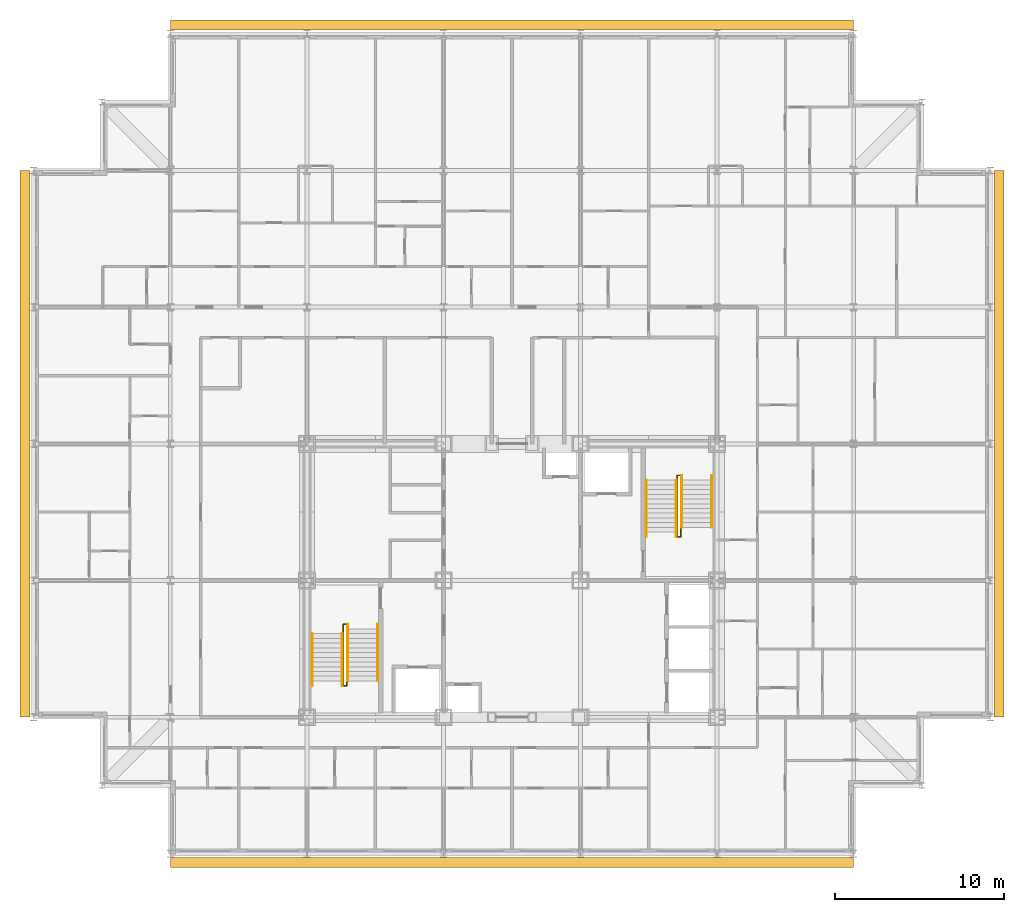
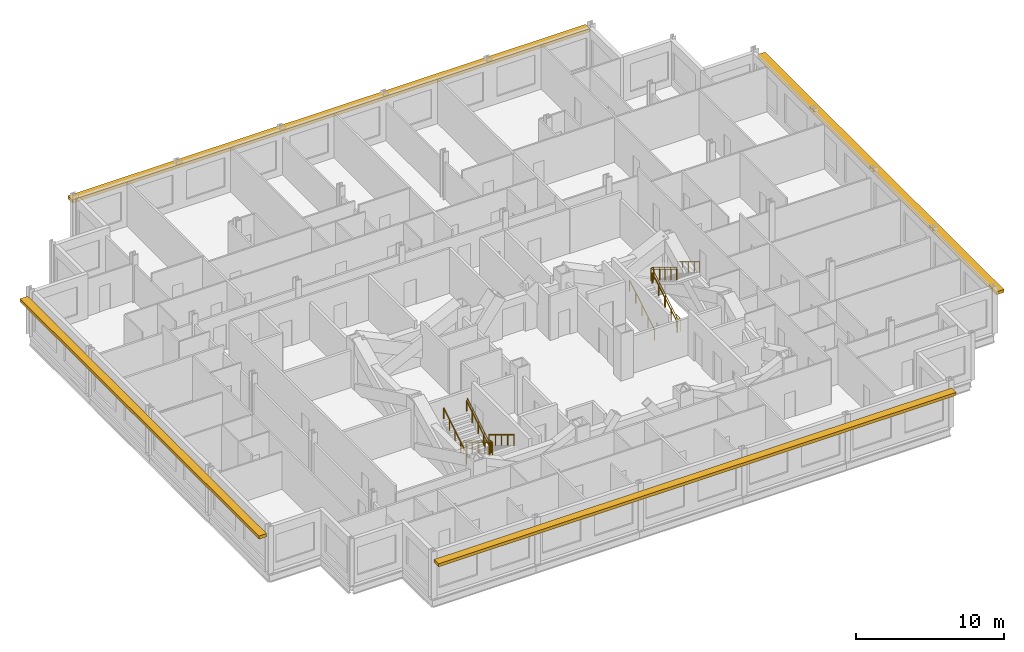
# One storey, part 16 of 16: 10 railings, 4 shading devices.
"""IFC4 building model written with IfcOpenShell, lengths in metres."""

from ifc_helpers import new_model, si_unit, direction, frame, origin, origin_2d, place, context, subcontext, project, spatial, rectangle, circle, extrude, material, type_object, element, save


model = new_model("IFC4")

# Units and contexts
model_context = context("Model", 3, precision=1e-05, world=origin(), true_north=direction((0.0, 1.0)))
body_context = subcontext(model_context, "Body", "Model", "MODEL_VIEW")
ifc_project = project(units=[si_unit("LENGTHUNIT", "METRE"), si_unit("AREAUNIT", "SQUARE_METRE"), si_unit("VOLUMEUNIT", "CUBIC_METRE"), si_unit("PLANEANGLEUNIT", "RADIAN"), si_unit("MASSUNIT", "GRAM", prefix="KILO")], contexts=[model_context])

# Site, building, storey
site_placement = place(None, origin())
site = spatial("IfcSite", under=ifc_project, at=site_placement, CompositionType="ELEMENT")
building_placement = place(site_placement, origin())
building = spatial("IfcBuilding", under=site, at=building_placement, Name="Kopane Lantern Tower", CompositionType="ELEMENT")
storey_placement = place(building_placement, frame((0.0, 0.0, 265.800048828125)))
storey = spatial("IfcBuildingStorey", under=building, at=storey_placement, Name="L68", CompositionType="ELEMENT", Elevation=265.800048828125)

# Railings
ifc_material_1 = material(Name="Steel", Category="steel")
railing_type_1 = type_object("IfcRailingType", Name="STAIR GUARD 1100", PredefinedType="GUARDRAIL", material=ifc_material_1)
railing_1_placement = place(storey_placement, frame((18.35009765625, 29.25, 0.0)))
element("IfcRailing", 1, at=railing_1_placement, inside=storey, type_object=railing_type_1, Name="ST1 well guard L68", PredefinedType="GUARDRAIL", context=body_context, shape_type="SweptSolid", body=[
    extrude(circle(Radius=0.02392578125, at=origin_2d()), frame((0.0, 0.0, 1.076171875), z_axis=(0.0, 1.0, 0.0), x_axis=(-1.0, 0.0, 0.0)), (0.0, 0.0, 1.0), 0.56005859375),
    extrude(circle(Radius=0.02392578125, at=origin_2d()), frame((0.0, 0.56005859375, 1.076171875), z_axis=(1.0, 0.0, 0.0), x_axis=(0.0, 1.0, 0.0)), (0.0, 0.0, 1.0), 0.199951171875),
    extrude(circle(Radius=0.02392578125, at=origin_2d()), frame((0.199951171875, 0.56005859375, 1.076171875), z_axis=(0.0, -0.85539645441, 0.517973846621), x_axis=(1.0, 0.0, 0.0)), (0.0, 0.0, 1.0), 3.92822265625),
    extrude(circle(Radius=0.02392578125, at=origin_2d()), frame((0.199951171875, -2.800048828125, 3.11083984375), z_axis=(0.0, -1.0, 0.0), x_axis=(1.0, 0.0, 0.0)), (0.0, 0.0, 1.0), 0.280029296875),
    extrude(circle(Radius=0.02392578125, at=origin_2d()), frame((0.199951171875, -3.080078125, 3.11083984375), z_axis=(-1.0, 0.0, 0.0), x_axis=(0.0, -1.0, 0.0)), (0.0, 0.0, 1.0), 0.199951171875),
    extrude(circle(Radius=0.02392578125, at=origin_2d()), frame((0.0, -3.080078125, 3.11083984375), z_axis=(0.0, 0.855379917629, 0.518001154937), x_axis=(-1.0, 0.0, 0.0)), (0.0, 0.0, 1.0), 3.600830078125),
    extrude(circle(Radius=0.02099609375, at=origin_2d()), origin(), (0.0, 0.0, 1.0), 1.052001953125),
    extrude(circle(Radius=0.02099609375, at=origin_2d()), frame((0.0, 0.56005859375, 0.0)), (0.0, 0.0, 1.0), 1.052001953125),
    extrude(circle(Radius=0.02099609375, at=origin_2d()), frame((0.199951171875, 0.56005859375, 0.0)), (0.0, 0.0, 1.0), 1.052001953125),
    extrude(circle(Radius=0.02099609375, at=origin_2d()), frame((0.199951171875, -0.280029296875, 0.5087890625)), (0.0, 0.0, 1.0), 1.052001953125),
    extrude(circle(Radius=0.02099609375, at=origin_2d()), frame((0.199951171875, -1.1201171875, 1.017333984375)), (0.0, 0.0, 1.0), 1.052001953125),
    extrude(circle(Radius=0.02099609375, at=origin_2d()), frame((0.199951171875, -1.9599609375, 1.52587890625)), (0.0, 0.0, 1.0), 1.052001953125),
    extrude(circle(Radius=0.02099609375, at=origin_2d()), frame((0.199951171875, -2.800048828125, 2.03466796875)), (0.0, 0.0, 1.0), 1.052001953125),
    extrude(circle(Radius=0.02099609375, at=origin_2d()), frame((0.199951171875, -3.080078125, 2.03466796875)), (0.0, 0.0, 1.0), 1.052001953125),
    extrude(circle(Radius=0.02099609375, at=origin_2d()), frame((0.0, -3.080078125, 2.03466796875)), (0.0, 0.0, 1.0), 1.052001953125),
    extrude(circle(Radius=0.02099609375, at=origin_2d()), frame((0.0, -2.31005859375, 2.5009765625)), (0.0, 0.0, 1.0), 1.052001953125),
    extrude(circle(Radius=0.02099609375, at=origin_2d()), frame((0.0, -1.5400390625, 2.96728515625)), (0.0, 0.0, 1.0), 1.052001953125),
    extrude(circle(Radius=0.02099609375, at=origin_2d()), frame((0.0, -0.77001953125, 3.43359375)), (0.0, 0.0, 1.0), 1.052001953125),
    extrude(circle(Radius=0.02099609375, at=origin_2d()), frame((0.0, 0.0, 3.89990234375)), (0.0, 0.0, 1.0), 1.052001953125),
])
railing_2_placement = place(storey_placement, frame((38.35009765625, 35.550048828125, 0.0)))
element("IfcRailing", 2, at=railing_2_placement, inside=storey, type_object=railing_type_1, Name="ST2 well guard L68", PredefinedType="GUARDRAIL", context=body_context, shape_type="SweptSolid", body=[
    extrude(circle(Radius=0.02392578125, at=origin_2d()), frame((0.0, 0.0, 1.076171875), z_axis=(0.0, -1.0, 0.0), x_axis=(1.0, 0.0, 0.0)), (0.0, 0.0, 1.0), 0.56005859375),
    extrude(circle(Radius=0.02392578125, at=origin_2d()), frame((0.0, -0.56005859375, 1.076171875), z_axis=(-1.0, 0.0, 0.0), x_axis=(0.0, -1.0, 0.0)), (0.0, 0.0, 1.0), 0.2001953125),
    extrude(circle(Radius=0.02392578125, at=origin_2d()), frame((-0.2001953125, -0.56005859375, 1.076171875), z_axis=(0.0, 0.85539645441, 0.517973846621), x_axis=(-1.0, 0.0, 0.0)), (0.0, 0.0, 1.0), 3.92822265625),
    extrude(circle(Radius=0.02392578125, at=origin_2d()), frame((-0.2001953125, 2.800048828125, 3.11083984375), z_axis=(0.0, 1.0, 0.0), x_axis=(-1.0, 0.0, 0.0)), (0.0, 0.0, 1.0), 0.27978515625),
    extrude(circle(Radius=0.02392578125, at=origin_2d()), frame((-0.2001953125, 3.079833984375, 3.11083984375), z_axis=(1.0, 0.0, 0.0), x_axis=(0.0, 1.0, 0.0)), (0.0, 0.0, 1.0), 0.2001953125),
    extrude(circle(Radius=0.02392578125, at=origin_2d()), frame((0.0, 3.079833984375, 3.11083984375), z_axis=(0.0, -0.855361723277, 0.518031198243), x_axis=(1.0, 0.0, 0.0)), (0.0, 0.0, 1.0), 3.6005859375),
    extrude(circle(Radius=0.02099609375, at=origin_2d()), origin(), (0.0, 0.0, 1.0), 1.052001953125),
    extrude(circle(Radius=0.02099609375, at=origin_2d()), frame((0.0, -0.56005859375, 0.0)), (0.0, 0.0, 1.0), 1.052001953125),
    extrude(circle(Radius=0.02099609375, at=origin_2d()), frame((-0.2001953125, -0.56005859375, 0.0)), (0.0, 0.0, 1.0), 1.052001953125),
    extrude(circle(Radius=0.02099609375, at=origin_2d()), frame((-0.2001953125, 0.280029296875, 0.5087890625)), (0.0, 0.0, 1.0), 1.052001953125),
    extrude(circle(Radius=0.02099609375, at=origin_2d()), frame((-0.2001953125, 1.1201171875, 1.017333984375)), (0.0, 0.0, 1.0), 1.052001953125),
    extrude(circle(Radius=0.02099609375, at=origin_2d()), frame((-0.2001953125, 1.9599609375, 1.52587890625)), (0.0, 0.0, 1.0), 1.052001953125),
    extrude(circle(Radius=0.02099609375, at=origin_2d()), frame((-0.2001953125, 2.800048828125, 2.03466796875)), (0.0, 0.0, 1.0), 1.052001953125),
    extrude(circle(Radius=0.02099609375, at=origin_2d()), frame((-0.2001953125, 3.079833984375, 2.03466796875)), (0.0, 0.0, 1.0), 1.052001953125),
    extrude(circle(Radius=0.02099609375, at=origin_2d()), frame((0.0, 3.079833984375, 2.03466796875)), (0.0, 0.0, 1.0), 1.052001953125),
    extrude(circle(Radius=0.02099609375, at=origin_2d()), frame((0.0, 2.309814453125, 2.5009765625)), (0.0, 0.0, 1.0), 1.052001953125),
    extrude(circle(Radius=0.02099609375, at=origin_2d()), frame((0.0, 1.5400390625, 2.96728515625)), (0.0, 0.0, 1.0), 1.052001953125),
    extrude(circle(Radius=0.02099609375, at=origin_2d()), frame((0.0, 0.77001953125, 3.43359375)), (0.0, 0.0, 1.0), 1.052001953125),
    extrude(circle(Radius=0.02099609375, at=origin_2d()), frame((0.0, 0.0, 3.89990234375)), (0.0, 0.0, 1.0), 1.052001953125),
])
ifc_material_2 = material(Name="Steel", Category="steel")
railing_type_2 = type_object("IfcRailingType", Name="STAIR HANDRAIL 900", PredefinedType="HANDRAIL", material=ifc_material_2)
for number, where, name in (
    (3, (20.389892578125, 29.81005859375, 0.0), "ST1 handrail L68 flight 1"),
    (4, (18.610107421875, 29.81005859375, 0.0), "ST1 handrail L68 flight 1"),
):
    element("IfcRailing", number, at=place(storey_placement, frame(where)), inside=storey, type_object=railing_type_2, Name=name, PredefinedType="HANDRAIL", context=body_context, shape_type="SweptSolid", body=[
        extrude(circle(Radius=0.02392578125, at=origin_2d()), frame((0.0, 0.0, 0.8759765625), z_axis=(0.0, -0.85539645441, 0.517973846621), x_axis=(1.0, 0.0, 0.0)), (0.0, 0.0, 1.0), 3.92822265625),
        extrude(circle(Radius=0.02099609375, at=origin_2d()), origin(), (0.0, 0.0, 1.0), 0.851806640625),
        extrude(circle(Radius=0.02099609375, at=origin_2d()), frame((0.0, -0.840087890625, 0.5087890625)), (0.0, 0.0, 1.0), 0.851806640625),
        extrude(circle(Radius=0.02099609375, at=origin_2d()), frame((0.0, -1.68017578125, 1.017333984375)), (0.0, 0.0, 1.0), 0.851806640625),
        extrude(circle(Radius=0.02099609375, at=origin_2d()), frame((0.0, -2.52001953125, 1.52587890625)), (0.0, 0.0, 1.0), 0.851806640625),
        extrude(circle(Radius=0.02099609375, at=origin_2d()), frame((0.0, -3.360107421875, 2.03466796875)), (0.0, 0.0, 1.0), 0.851806640625),
    ])
for number, where, name in (
    (5, (16.510009765625, 26.169921875, 2.03466796875), "ST1 handrail L68 flight 2"),
    (6, (18.2900390625, 26.169921875, 2.03466796875), "ST1 handrail L68 flight 2"),
):
    element("IfcRailing", number, at=place(storey_placement, frame(where)), inside=storey, type_object=railing_type_2, Name=name, PredefinedType="HANDRAIL", context=body_context, shape_type="SweptSolid", body=[
        extrude(circle(Radius=0.02392578125, at=origin_2d()), frame((0.0, 0.0, 0.8759765625), z_axis=(0.0, 0.855379917629, 0.518001154937), x_axis=(-1.0, 0.0, 0.0)), (0.0, 0.0, 1.0), 3.600830078125),
        extrude(circle(Radius=0.02099609375, at=origin_2d()), origin(), (0.0, 0.0, 1.0), 0.851806640625),
        extrude(circle(Radius=0.02099609375, at=origin_2d()), frame((0.0, 0.77001953125, 0.46630859375)), (0.0, 0.0, 1.0), 0.851806640625),
        extrude(circle(Radius=0.02099609375, at=origin_2d()), frame((0.0, 1.5400390625, 0.9326171875)), (0.0, 0.0, 1.0), 0.851806640625),
        extrude(circle(Radius=0.02099609375, at=origin_2d()), frame((0.0, 2.31005859375, 1.39892578125)), (0.0, 0.0, 1.0), 0.851806640625),
        extrude(circle(Radius=0.02099609375, at=origin_2d()), frame((0.0, 3.080078125, 1.865234375)), (0.0, 0.0, 1.0), 0.851806640625),
    ])
for number, where, name in (
    (7, (36.31005859375, 34.989990234375, 0.0), "ST2 handrail L68 flight 1"),
    (8, (38.090087890625, 34.989990234375, 0.0), "ST2 handrail L68 flight 1"),
):
    element("IfcRailing", number, at=place(storey_placement, frame(where)), inside=storey, type_object=railing_type_2, Name=name, PredefinedType="HANDRAIL", context=body_context, shape_type="SweptSolid", body=[
        extrude(circle(Radius=0.02392578125, at=origin_2d()), frame((0.0, 0.0, 0.8759765625), z_axis=(0.0, 0.85539645441, 0.517973846621), x_axis=(-1.0, 0.0, 0.0)), (0.0, 0.0, 1.0), 3.92822265625),
        extrude(circle(Radius=0.02099609375, at=origin_2d()), origin(), (0.0, 0.0, 1.0), 0.851806640625),
        extrude(circle(Radius=0.02099609375, at=origin_2d()), frame((0.0, 0.840087890625, 0.5087890625)), (0.0, 0.0, 1.0), 0.851806640625),
        extrude(circle(Radius=0.02099609375, at=origin_2d()), frame((0.0, 1.68017578125, 1.017333984375)), (0.0, 0.0, 1.0), 0.851806640625),
        extrude(circle(Radius=0.02099609375, at=origin_2d()), frame((0.0, 2.52001953125, 1.52587890625)), (0.0, 0.0, 1.0), 0.851806640625),
        extrude(circle(Radius=0.02099609375, at=origin_2d()), frame((0.0, 3.360107421875, 2.03466796875)), (0.0, 0.0, 1.0), 0.851806640625),
    ])
for number, where, name in (
    (9, (40.18994140625, 38.6298828125, 2.03466796875), "ST2 handrail L68 flight 2"),
    (10, (38.409912109375, 38.6298828125, 2.03466796875), "ST2 handrail L68 flight 2"),
):
    element("IfcRailing", number, at=place(storey_placement, frame(where)), inside=storey, type_object=railing_type_2, Name=name, PredefinedType="HANDRAIL", context=body_context, shape_type="SweptSolid", body=[
        extrude(circle(Radius=0.02392578125, at=origin_2d()), frame((0.0, 0.0, 0.8759765625), z_axis=(0.0, -0.855361723277, 0.518031198243), x_axis=(1.0, 0.0, 0.0)), (0.0, 0.0, 1.0), 3.6005859375),
        extrude(circle(Radius=0.02099609375, at=origin_2d()), origin(), (0.0, 0.0, 1.0), 0.851806640625),
        extrude(circle(Radius=0.02099609375, at=origin_2d()), frame((0.0, -0.77001953125, 0.46630859375)), (0.0, 0.0, 1.0), 0.851806640625),
        extrude(circle(Radius=0.02099609375, at=origin_2d()), frame((0.0, -1.5400390625, 0.9326171875)), (0.0, 0.0, 1.0), 0.851806640625),
        extrude(circle(Radius=0.02099609375, at=origin_2d()), frame((0.0, -2.309814453125, 1.39892578125)), (0.0, 0.0, 1.0), 0.851806640625),
        extrude(circle(Radius=0.02099609375, at=origin_2d()), frame((0.0, -3.079833984375, 1.865234375)), (0.0, 0.0, 1.0), 0.851806640625),
    ])

# Shading devices
ifc_material_3 = material(Name="Terracotta rainscreen on light steel framing", Category="masonry")
shading_device_type = type_object("IfcShadingDeviceType", Name="SUNSHADE BAND SB1 600 TERRACOTTA", PredefinedType="USERDEFINED", material=ifc_material_3)
shading_device_1_placement = place(storey_placement, frame((28.35009765625, 15.681640625, 3.0), z_axis=(0.0, 0.0, 1.0), x_axis=(1.0, 0.0, 0.0)))
element("IfcShadingDevice", 11, at=shading_device_1_placement, inside=storey, type_object=shading_device_type, Name="Sunshade band S L68", ObjectType="SUNSHADE BAND", PredefinedType="USERDEFINED", context=body_context, shape_type="SweptSolid", body=[
    extrude(rectangle(XDim=40.5, YDim=0.60009765625, at=origin_2d()), origin(), (0.0, 0.0, 1.0), 0.25),
])
shading_device_2_placement = place(storey_placement, frame((57.2060546875, 40.5, 3.0), z_axis=(0.0, 0.0, 1.0), x_axis=(0.0, 1.0, 0.0)))
element("IfcShadingDevice", 12, at=shading_device_2_placement, inside=storey, type_object=shading_device_type, Name="Sunshade band E L68", ObjectType="SUNSHADE BAND", PredefinedType="USERDEFINED", context=body_context, shape_type="SweptSolid", body=[
    extrude(rectangle(XDim=32.39990234375, YDim=0.60009765625, at=origin_2d()), origin(), (0.0, 0.0, 1.0), 0.25),
])
shading_device_3_placement = place(storey_placement, frame((28.35009765625, 65.318359375, 3.0), z_axis=(0.0, 0.0, 1.0), x_axis=(-1.0, 0.0, 0.0)))
element("IfcShadingDevice", 13, at=shading_device_3_placement, inside=storey, type_object=shading_device_type, Name="Sunshade band N L68", ObjectType="SUNSHADE BAND", PredefinedType="USERDEFINED", context=body_context, shape_type="SweptSolid", body=[
    extrude(rectangle(XDim=40.5, YDim=0.60009765625, at=origin_2d()), origin(), (0.0, 0.0, 1.0), 0.25),
])
shading_device_4_placement = place(storey_placement, frame((-0.506103515625, 40.5, 3.0), z_axis=(0.0, 0.0, 1.0), x_axis=(0.0, -1.0, 0.0)))
element("IfcShadingDevice", 14, at=shading_device_4_placement, inside=storey, type_object=shading_device_type, Name="Sunshade band W L68", ObjectType="SUNSHADE BAND", PredefinedType="USERDEFINED", context=body_context, shape_type="SweptSolid", body=[
    extrude(rectangle(XDim=32.39990234375, YDim=0.60009765625, at=origin_2d()), origin(), (0.0, 0.0, 1.0), 0.25),
])

save(model, "model.ifc")
